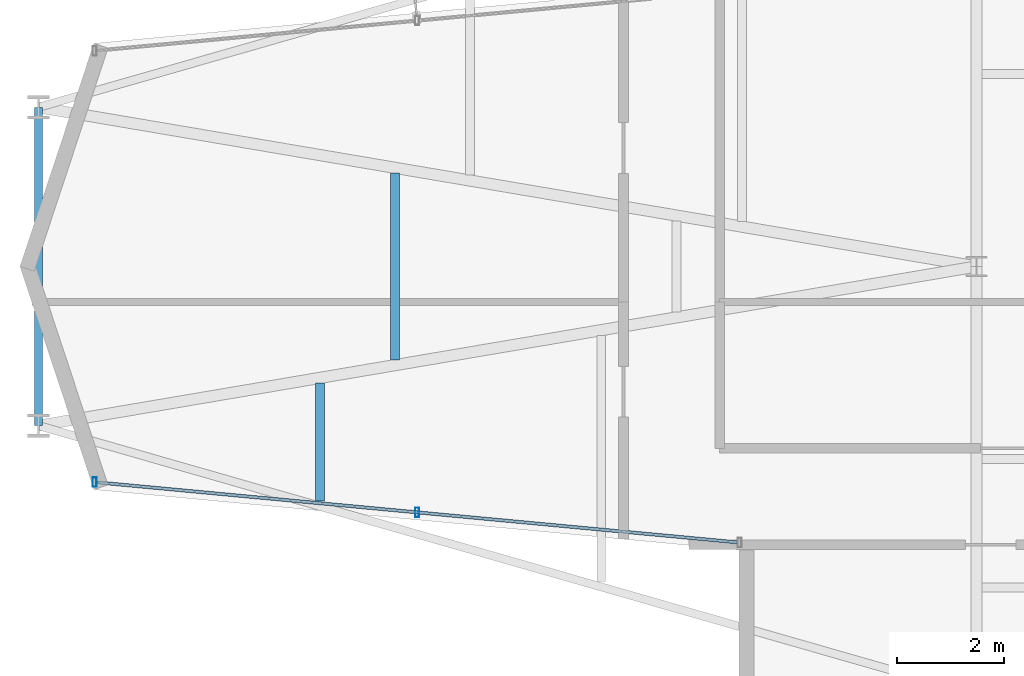
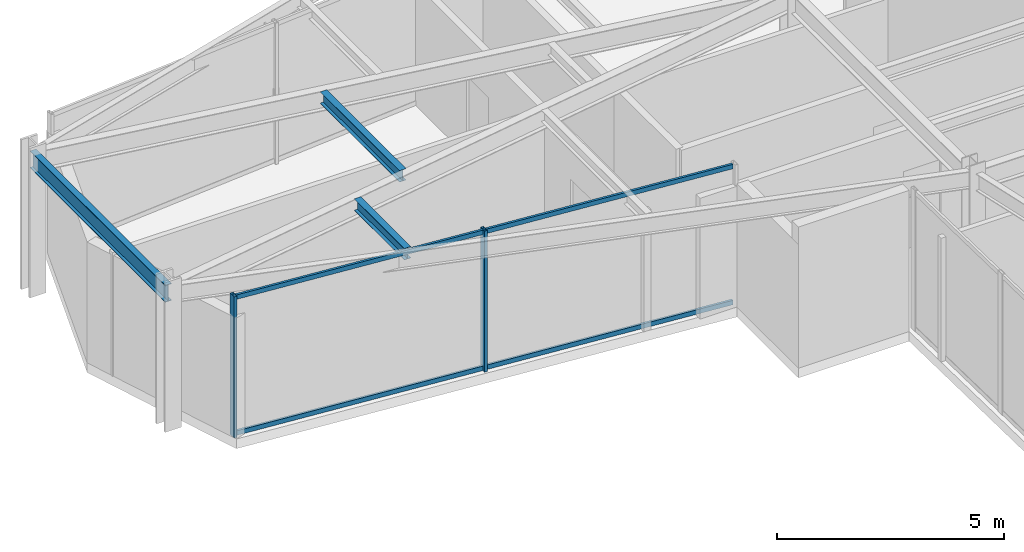
# One storey, part 2 of 22: 4 members, 3 beams, 1 element without a shape of its own.
"""IFC4 building model written with IfcOpenShell, lengths in metres."""

from ifc_helpers import new_model, si_unit, direction, frame, origin, origin_2d, place, context, subcontext, project, spatial, hollow_rectangle, i_section, extrude, material, layer, layer_set, material_profile, profile_set, type_object, element, aggregate, save


model = new_model("IFC4")

# Units and contexts
model_context = context("Model", 3, precision=1e-05, world=origin(), true_north=direction((0.0, 1.0)))
body_context = subcontext(model_context, "Body", "Model", "MODEL_VIEW")
ifc_project = project(units=[si_unit("LENGTHUNIT", "METRE"), si_unit("AREAUNIT", "SQUARE_METRE"), si_unit("VOLUMEUNIT", "CUBIC_METRE"), si_unit("PLANEANGLEUNIT", "RADIAN"), si_unit("MASSUNIT", "GRAM", prefix="KILO")], contexts=[model_context])

# Site, building, storey
site_placement = place(None, origin())
site = spatial("IfcSite", under=ifc_project, at=site_placement, CompositionType="ELEMENT")
building_placement = place(site_placement, origin())
building = spatial("IfcBuilding", under=site, at=building_placement, Name="Veymaron Broadcast Tower", CompositionType="ELEMENT")
storey_placement = place(building_placement, frame((0.0, 0.0, 216.14990234375)))
storey = spatial("IfcBuildingStorey", under=building, at=storey_placement, Name="L50", CompositionType="ELEMENT", Elevation=216.14990234375)

# Beams
ifc_material_1 = material(Name="Structural steel ASTM A992 Gr 50", Category="steel")
ifc_material_profile_1 = material_profile(ifc_material_1, i_section(OverallWidth=0.1650390625, OverallDepth=0.31005859375, WebThickness=0.005859375, FlangeThickness=0.009765625, at=origin_2d()), Name="W310X39")
ifc_profile_set_1 = profile_set([ifc_material_profile_1], Name="Structural steel ASTM A992 Gr 50")
beam_type_1 = type_object("IfcBeamType", Name="BM-JS3", PredefinedType="JOIST", material=ifc_profile_set_1)
beam_1_placement = place(storey_placement, frame((18.925537109375, 19.617431640625, 3.635009765625), z_axis=(0.0, 1.0, 0.0), x_axis=(-1.0, 0.0, 0.0)))
element("IfcBeam", 1, at=beam_1_placement, inside=storey, type_object=beam_type_1, Name="L50 Arm-A secondary joist 1S", PredefinedType="JOIST", context=body_context, shape_type="SweptSolid", body=[
    extrude(i_section(OverallWidth=0.1650390625, OverallDepth=0.31005859375, WebThickness=0.005859375, FlangeThickness=0.009765625, at=origin_2d()), origin(), (0.0, 0.0, 1.0), 2.199951171875),
])
beam_2_placement = place(storey_placement, frame((20.328369140625, 22.255615234375, 3.635009765625), z_axis=(0.0, 1.0, 0.0), x_axis=(-1.0, 0.0, 0.0)))
element("IfcBeam", 2, at=beam_2_placement, inside=storey, type_object=beam_type_1, Name="L50 Arm-A secondary joist 1M", PredefinedType="JOIST", context=body_context, shape_type="SweptSolid", body=[
    extrude(i_section(OverallWidth=0.1650390625, OverallDepth=0.31005859375, WebThickness=0.005859375, FlangeThickness=0.009765625, at=origin_2d()), origin(), (0.0, 0.0, 1.0), 3.48876953125),
])
ifc_material_profile_2 = material_profile(ifc_material_1, i_section(OverallWidth=0.154052734375, OverallDepth=0.458984375, WebThickness=0.009033203125, FlangeThickness=0.015380859375, at=origin_2d()), Name="W460X68")
ifc_profile_set_2 = profile_set([ifc_material_profile_2], Name="Structural steel ASTM A992 Gr 50")
beam_type_2 = type_object("IfcBeamType", Name="BM-SP2", PredefinedType="SPANDREL", material=ifc_profile_set_2)
beam_3_placement = place(storey_placement, frame((13.6650390625, 21.02490234375, 3.560546875), z_axis=(0.0, 1.0, 0.0), x_axis=(-1.0, 0.0, 0.0)))
element("IfcBeam", 3, at=beam_3_placement, inside=storey, type_object=beam_type_2, Name="L50 primary structural floor girder", PredefinedType="SPANDREL", context=body_context, shape_type="SweptSolid", body=[
    extrude(i_section(OverallWidth=0.154052734375, OverallDepth=0.458984375, WebThickness=0.009033203125, FlangeThickness=0.015380859375, at=origin_2d()), origin(), (0.0, 0.0, 1.0), 5.9501953125),
])

# Curtain wall, members
ifc_material_2 = material(Name="Anodised aluminium AA 6063-T6 and laminated low-E dark glass", Category="aluminium")
ifc_layer = layer(ifc_material_2, 0.179931640625)
ifc_layer_set = layer_set([ifc_layer], Name="Anodised aluminium AA 6063-T6 and laminated low-E dark glass")
curtain_wall_type = type_object("IfcCurtainWallType", Name="CW-SYS-05", PredefinedType="NOTDEFINED", material=ifc_layer_set)
curtain_wall_placement = place(storey_placement, origin())
curtain_wall = element("IfcCurtainWall", 4, at=curtain_wall_placement, inside=storey, type_object=curtain_wall_type, Name="L50 dark-glass curtain wall CW-L50-E14-1", PredefinedType="NOTDEFINED")
ifc_material_3 = material(Name="Anodised aluminium AA 6063-T6", Category="aluminium")
ifc_material_profile_3 = material_profile(ifc_material_3, hollow_rectangle(XDim=0.074951171875, YDim=0.179931640625, WallThickness=0.0048828125, at=origin_2d()), Name="AL180X75X5")
ifc_profile_set_3 = profile_set([ifc_material_profile_3], Name="Anodised aluminium AA 6063-T6")
member_type_1 = type_object("IfcMemberType", Name="CW-MUL-02", PredefinedType="MULLION", material=ifc_profile_set_3)
member_1_placement = place(storey_placement, frame((14.713134765625, 19.96875, 0.0), z_axis=(0.0, 0.0, 1.0), x_axis=(1.0, 0.0, 0.0)))
member_1 = element("IfcMember", 5, at=member_1_placement, type_object=member_type_1, Name="CW-L50-E14-1 mullion 0", PredefinedType="MULLION", context=body_context, shape_type="SweptSolid", body=[
    extrude(hollow_rectangle(XDim=0.074951171875, YDim=0.179931640625, WallThickness=0.0048828125, at=origin_2d()), origin(), (0.0, 0.0, 1.0), 3.7900390625),
])
member_2_placement = place(storey_placement, frame((20.7431640625, 19.40380859375, 0.0), z_axis=(0.0, 0.0, 1.0), x_axis=(1.0, 0.0, 0.0)))
member_2 = element("IfcMember", 6, at=member_2_placement, type_object=member_type_1, Name="CW-L50-E14-1 mullion 1", PredefinedType="MULLION", context=body_context, shape_type="SweptSolid", body=[
    extrude(hollow_rectangle(XDim=0.074951171875, YDim=0.179931640625, WallThickness=0.0048828125, at=origin_2d()), origin(), (0.0, 0.0, 1.0), 3.7900390625),
])
ifc_material_profile_4 = material_profile(ifc_material_3, hollow_rectangle(XDim=0.06005859375, YDim=0.1201171875, WallThickness=0.00390625, at=origin_2d()), Name="AL120X60X4")
ifc_profile_set_4 = profile_set([ifc_material_profile_4], Name="Anodised aluminium AA 6063-T6")
member_type_2 = type_object("IfcMemberType", Name="CW-TRN-02", PredefinedType="USERDEFINED", material=ifc_profile_set_4)
member_3_placement = place(storey_placement, frame((14.762939453125, 19.964111328125, 0.070068359375), z_axis=(0.995641423823, -0.093263900672, 0.0), x_axis=(0.093263900672, 0.995641423823, 0.0)))
member_3 = element("IfcMember", 7, at=member_3_placement, type_object=member_type_2, Name="CW-L50-E14-1 transom B", ObjectType="TRANSOM", PredefinedType="USERDEFINED", context=body_context, shape_type="SweptSolid", body=[
    extrude(hollow_rectangle(XDim=0.06005859375, YDim=0.1201171875, WallThickness=0.00390625, at=origin_2d()), origin(), (0.0, 0.0, 1.0), 12.0126953125),
])
member_4_placement = place(storey_placement, frame((14.762939453125, 19.964111328125, 3.72021484375), z_axis=(0.995641423823, -0.093263900672, 0.0), x_axis=(0.093263900672, 0.995641423823, 0.0)))
member_4 = element("IfcMember", 8, at=member_4_placement, type_object=member_type_2, Name="CW-L50-E14-1 transom T", ObjectType="TRANSOM", PredefinedType="USERDEFINED", context=body_context, shape_type="SweptSolid", body=[
    extrude(hollow_rectangle(XDim=0.06005859375, YDim=0.1201171875, WallThickness=0.00390625, at=origin_2d()), origin(), (0.0, 0.0, 1.0), 12.0126953125),
])
aggregate(curtain_wall, [member_1, member_2, member_3, member_4])

save(model, "model.ifc")
